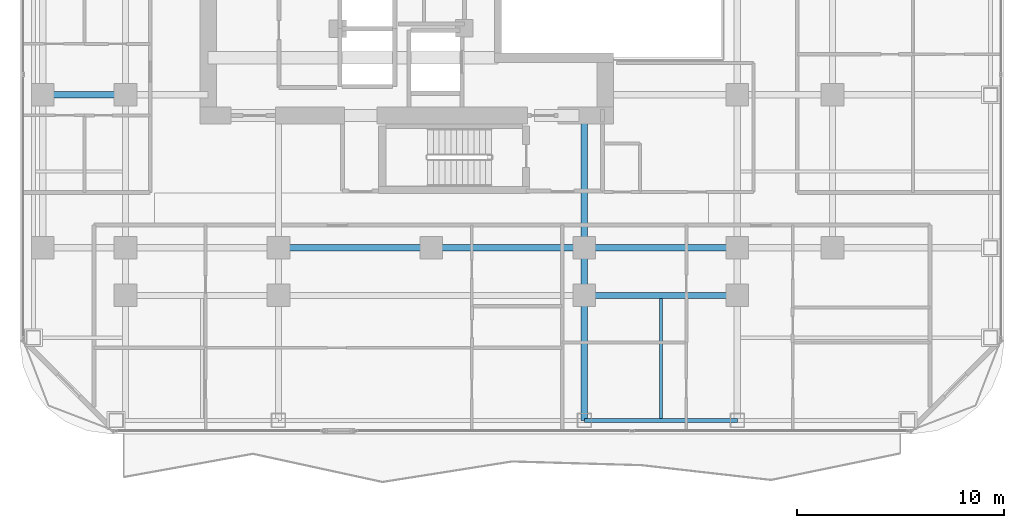
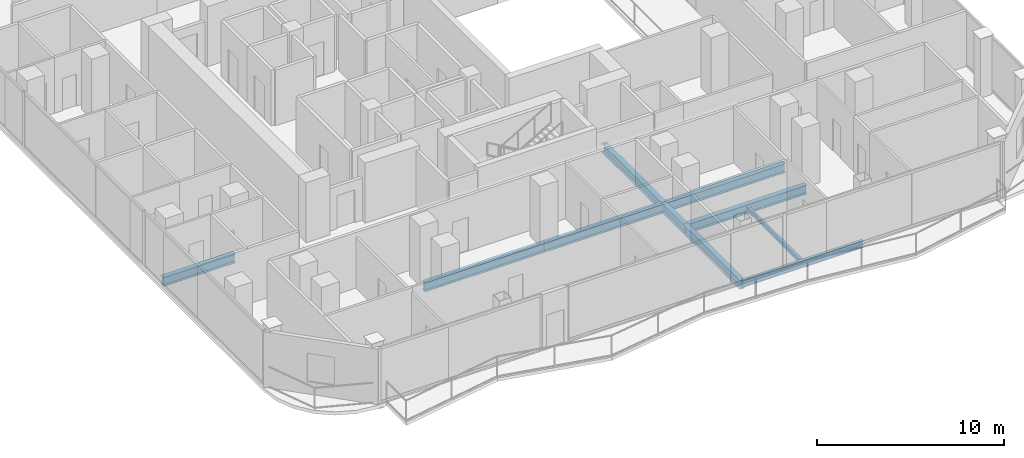
# One storey, part 5 of 27: 10 beams.
"""IFC4 building model written with IfcOpenShell, lengths in metres."""

from ifc_helpers import new_model, si_unit, direction, frame, origin, origin_2d, place, context, subcontext, project, spatial, i_section, extrude, material, material_profile, profile_set, type_object, element, save


model = new_model("IFC4")

# Units and contexts
model_context = context("Model", 3, precision=1e-05, world=origin(), true_north=direction((0.0, 1.0)))
body_context = subcontext(model_context, "Body", "Model", "MODEL_VIEW")
ifc_project = project(units=[si_unit("LENGTHUNIT", "METRE"), si_unit("AREAUNIT", "SQUARE_METRE"), si_unit("VOLUMEUNIT", "CUBIC_METRE"), si_unit("PLANEANGLEUNIT", "RADIAN"), si_unit("MASSUNIT", "GRAM", prefix="KILO")], contexts=[model_context])

# Site, building, storey
site_placement = place(None, origin())
site = spatial("IfcSite", under=ifc_project, at=site_placement, CompositionType="ELEMENT")
building_placement = place(site_placement, origin())
building = spatial("IfcBuilding", under=site, at=building_placement, Name="Khorvyn Point Tower", CompositionType="ELEMENT")
storey_placement = place(building_placement, frame((0.0, 0.0, 164.10009765625)))
storey = spatial("IfcBuildingStorey", under=building, at=storey_placement, Name="L40", CompositionType="ELEMENT", Elevation=164.10009765625)

# Beams
ifc_material = material(Name="Steel S355", Category="steel")
ifc_material_profile_1 = material_profile(ifc_material, i_section(OverallWidth=0.300048828125, OverallDepth=0.587890625, WebThickness=0.011962890625, FlangeThickness=0.02001953125, at=origin_2d()))
ifc_profile_set_1 = profile_set([ifc_material_profile_1], Name="Steel S355 H588x300x12x20")
beam_type_1 = type_object("IfcBeamType", Name="Steel S355 Beam H588x300x12x20", PredefinedType="BEAM", material=ifc_profile_set_1)
for number, where, z_axis, x_axis, name in (
    (1, (-7.39990234375, -14.800048828125, -0.51416015625), (1.0, 0.0, 0.0), (0.0, 1.0, 0.0), "Beam"),
    (2, (0.0, -14.800048828125, -0.51416015625), (1.0, 0.0, 0.0), (0.0, 1.0, 0.0), "Beam"),
):
    element("IfcBeam", number, at=place(storey_placement, frame(where, z_axis=z_axis, x_axis=x_axis)), inside=storey, type_object=beam_type_1, Name=name, PredefinedType="BEAM", context=body_context, shape_type="SweptSolid", body=[
        extrude(i_section(OverallWidth=0.300048828125, OverallDepth=0.587890625, WebThickness=0.011962890625, FlangeThickness=0.02001953125, at=origin_2d()), origin(), (0.0, 0.0, 1.0), 7.39990234375),
    ])
beam_1_placement = place(storey_placement, frame((7.39990234375, -14.800048828125, -0.51416015625), z_axis=(1.0, 0.0, 0.0), x_axis=(0.0, 1.0, 0.0)))
element("IfcBeam", 3, at=beam_1_placement, inside=storey, type_object=beam_type_1, Name="Beam", PredefinedType="BEAM", context=body_context, shape_type="SweptSolid", body=[
    extrude(i_section(OverallWidth=0.300048828125, OverallDepth=0.587890625, WebThickness=0.011962890625, FlangeThickness=0.02001953125, at=origin_2d()), origin(), (0.0, 0.0, 1.0), 7.400146484375),
])
beam_2_placement = place(storey_placement, frame((-19.25, -7.39990234375, -0.51416015625), z_axis=(1.0, 0.0, 0.0), x_axis=(0.0, 1.0, 0.0)))
element("IfcBeam", 4, at=beam_2_placement, inside=storey, type_object=beam_type_1, Name="Beam", PredefinedType="BEAM", context=body_context, shape_type="SweptSolid", body=[
    extrude(i_section(OverallWidth=0.300048828125, OverallDepth=0.587890625, WebThickness=0.011962890625, FlangeThickness=0.02001953125, at=origin_2d()), origin(), (0.0, 0.0, 1.0), 4.449951171875),
])
beam_3_placement = place(storey_placement, frame((7.39990234375, -17.10009765625, -0.51416015625), z_axis=(1.0, 0.0, 0.0), x_axis=(0.0, 1.0, 0.0)))
element("IfcBeam", 5, at=beam_3_placement, inside=storey, type_object=beam_type_1, Name="Beam", PredefinedType="BEAM", context=body_context, shape_type="SweptSolid", body=[
    extrude(i_section(OverallWidth=0.300048828125, OverallDepth=0.587890625, WebThickness=0.011962890625, FlangeThickness=0.02001953125, at=origin_2d()), origin(), (0.0, 0.0, 1.0), 7.400146484375),
])
beam_4_placement = place(storey_placement, frame((7.39990234375, -23.14990234375, -0.51416015625), z_axis=(0.0, 1.0, 0.0), x_axis=(-1.0, 0.0, 0.0)))
element("IfcBeam", 6, at=beam_4_placement, inside=storey, type_object=beam_type_1, Name="Beam", PredefinedType="BEAM", context=body_context, shape_type="SweptSolid", body=[
    extrude(i_section(OverallWidth=0.300048828125, OverallDepth=0.587890625, WebThickness=0.011962890625, FlangeThickness=0.02001953125, at=origin_2d()), origin(), (0.0, 0.0, 1.0), 6.0498046875),
])
beam_5_placement = place(storey_placement, frame((7.39990234375, -17.10009765625, -0.51416015625), z_axis=(0.0, 1.0, 0.0), x_axis=(-1.0, 0.0, 0.0)))
element("IfcBeam", 7, at=beam_5_placement, inside=storey, type_object=beam_type_1, Name="Beam", PredefinedType="BEAM", context=body_context, shape_type="SweptSolid", body=[
    extrude(i_section(OverallWidth=0.300048828125, OverallDepth=0.587890625, WebThickness=0.011962890625, FlangeThickness=0.02001953125, at=origin_2d()), origin(), (0.0, 0.0, 1.0), 2.300048828125),
])
beam_6_placement = place(storey_placement, frame((7.39990234375, -14.800048828125, -0.51416015625), z_axis=(0.0, 1.0, 0.0), x_axis=(-1.0, 0.0, 0.0)))
element("IfcBeam", 8, at=beam_6_placement, inside=storey, type_object=beam_type_1, Name="Beam", PredefinedType="BEAM", context=body_context, shape_type="SweptSolid", body=[
    extrude(i_section(OverallWidth=0.300048828125, OverallDepth=0.587890625, WebThickness=0.011962890625, FlangeThickness=0.02001953125, at=origin_2d()), origin(), (0.0, 0.0, 1.0), 6.400146484375),
])
ifc_material_profile_2 = material_profile(ifc_material, i_section(OverallWidth=0.14990234375, OverallDepth=0.300048828125, WebThickness=0.006591796875, FlangeThickness=0.009033203125, at=origin_2d()))
ifc_profile_set_2 = profile_set([ifc_material_profile_2], Name="Steel S355 H300x150x6.5x9")
beam_type_2 = type_object("IfcBeamType", Name="Steel S355 Joist H300x150x6.5x9", PredefinedType="JOIST", material=ifc_profile_set_2)
beam_7_placement = place(storey_placement, frame((11.10009765625, -23.050048828125, -0.3701171875), z_axis=(0.0, 1.0, 0.0), x_axis=(-1.0, 0.0, 0.0)))
element("IfcBeam", 9, at=beam_7_placement, inside=storey, type_object=beam_type_2, Name="Beam", PredefinedType="JOIST", context=body_context, shape_type="SweptSolid", body=[
    extrude(i_section(OverallWidth=0.14990234375, OverallDepth=0.300048828125, WebThickness=0.006591796875, FlangeThickness=0.009033203125, at=origin_2d()), origin(), (0.0, 0.0, 1.0), 5.800048828125),
])
ifc_material_profile_3 = material_profile(ifc_material, i_section(OverallWidth=0.199951171875, OverallDepth=0.449951171875, WebThickness=0.009033203125, FlangeThickness=0.013916015625, at=origin_2d()))
ifc_profile_set_3 = profile_set([ifc_material_profile_3], Name="Steel S355 H450x200x9x14")
beam_type_3 = type_object("IfcBeamType", Name="Steel S355 Spandrel H450x200x9x14", PredefinedType="SPANDREL", material=ifc_profile_set_3)
beam_8_placement = place(storey_placement, frame((7.39990234375, -23.14990234375, -0.445068359375), z_axis=(1.0, 0.0, 0.0), x_axis=(0.0, 1.0, 0.0)))
element("IfcBeam", 10, at=beam_8_placement, inside=storey, type_object=beam_type_3, Name="Beam", PredefinedType="SPANDREL", context=body_context, shape_type="SweptSolid", body=[
    extrude(i_section(OverallWidth=0.199951171875, OverallDepth=0.449951171875, WebThickness=0.009033203125, FlangeThickness=0.013916015625, at=origin_2d()), origin(), (0.0, 0.0, 1.0), 7.400146484375),
])

save(model, "model.ifc")
